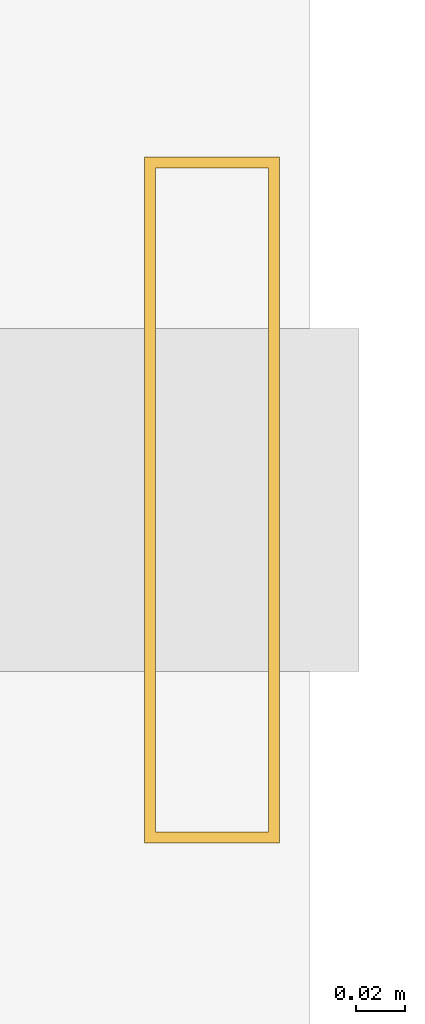
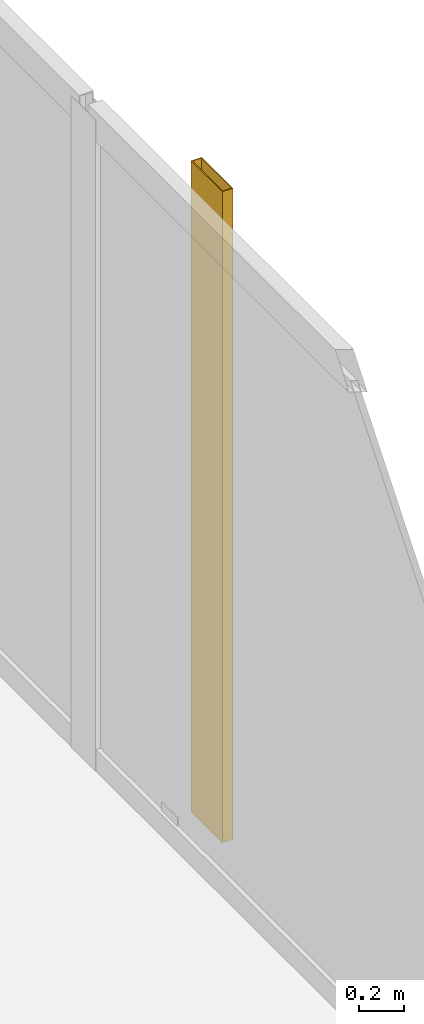
# One storey, part 24 of 24: 1 shading device.
"""IFC4 building model written with IfcOpenShell, lengths in metres."""

from ifc_helpers import new_model, si_unit, direction, frame, origin, origin_2d, place, context, subcontext, project, spatial, hollow_rectangle, extrude, material, material_profile, profile_set, type_object, element, save


model = new_model("IFC4")

# Units and contexts
model_context = context("Model", 3, precision=1e-05, world=origin(), true_north=direction((0.0, 1.0)))
body_context = subcontext(model_context, "Body", "Model", "MODEL_VIEW")
ifc_project = project(units=[si_unit("LENGTHUNIT", "METRE"), si_unit("AREAUNIT", "SQUARE_METRE"), si_unit("VOLUMEUNIT", "CUBIC_METRE"), si_unit("PLANEANGLEUNIT", "RADIAN"), si_unit("MASSUNIT", "GRAM", prefix="KILO")], contexts=[model_context])

# Site, building, storey
site_placement = place(None, origin())
site = spatial("IfcSite", under=ifc_project, at=site_placement, CompositionType="ELEMENT")
building_placement = place(site_placement, origin())
building = spatial("IfcBuilding", under=site, at=building_placement, Name="Kolvaren Waterfront Exchange", CompositionType="ELEMENT")
storey_placement = place(building_placement, frame((0.0, 0.0, 293.199951171875)))
storey = spatial("IfcBuildingStorey", under=building, at=storey_placement, Name="L75", CompositionType="ELEMENT", Elevation=293.199951171875)

# Shading device
ifc_material = material(Name="Anodised bronze aluminium 6063-T6", Category="aluminium")
ifc_material_profile = material_profile(ifc_material, hollow_rectangle(XDim=0.054931640625, YDim=0.280029296875, WallThickness=0.00439453125, at=origin_2d()), Name="BRZ-FIN-280x55x4.5")
ifc_profile_set = profile_set([ifc_material_profile], Name="Anodised bronze aluminium 6063-T6")
shading_device_type = type_object("IfcShadingDeviceType", Name="ARC-FIN-280", PredefinedType="USERDEFINED", material=ifc_profile_set)
shading_device_placement = place(storey_placement, frame((21.27587890625, 38.800048828125, 0.0), z_axis=(0.0, 0.0, 1.0), x_axis=(1.0, 0.0, 0.0)))
element("IfcShadingDevice", 1, at=shading_device_placement, inside=storey, type_object=shading_device_type, Name="L75 anodised bronze solar shading fin FIN-L75-E3", ObjectType="SOLAR FIN", PredefinedType="USERDEFINED", context=body_context, shape_type="SweptSolid", body=[
    extrude(hollow_rectangle(XDim=0.054931640625, YDim=0.280029296875, WallThickness=0.00439453125, at=origin_2d()), origin(), (0.0, 0.0, 1.0), 3.56005859375),
])

save(model, "model.ifc")
